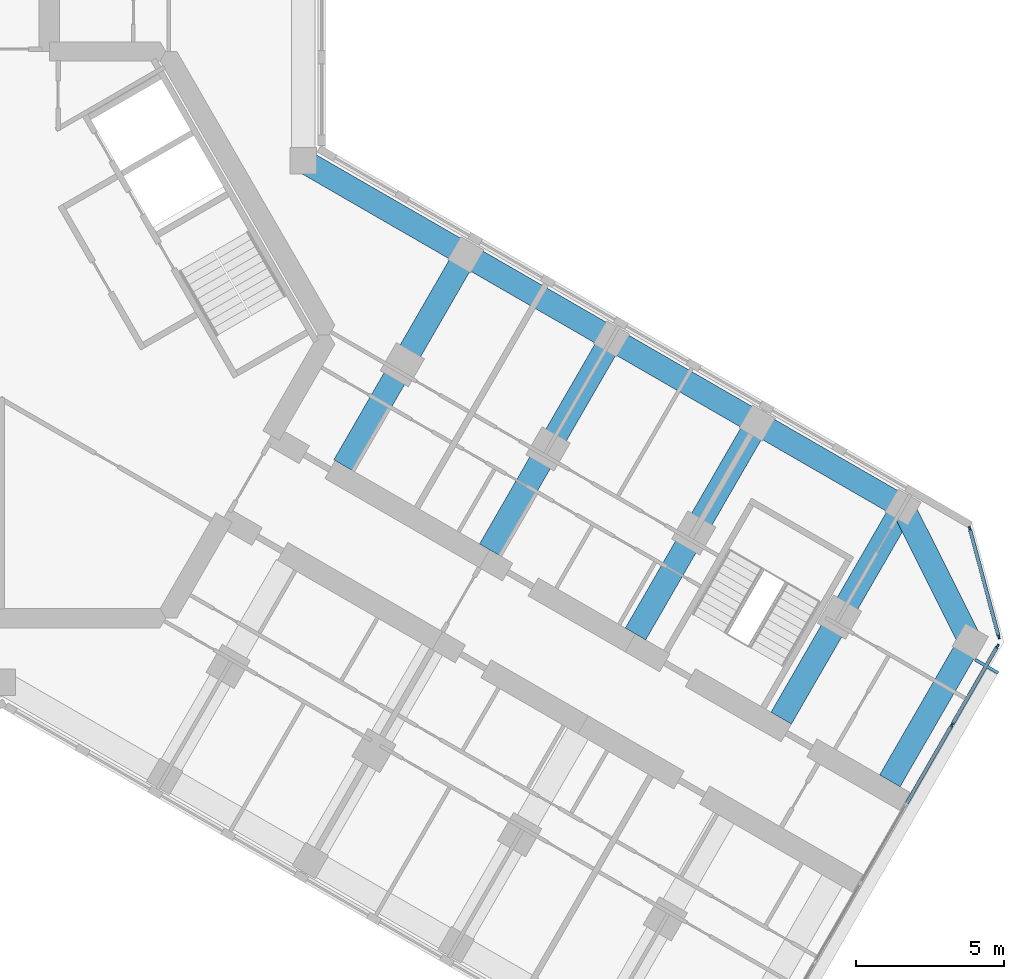
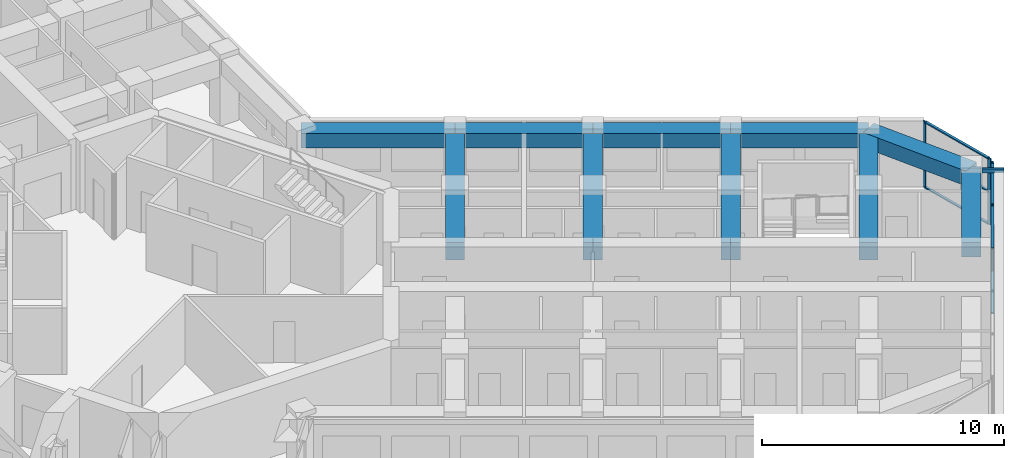
# One storey, part 5 of 16: 12 members, 10 beams, 2 elements without a shape of their own.
"""IFC4 building model written with IfcOpenShell, lengths in metres."""

from ifc_helpers import new_model, si_unit, direction, frame, origin, origin_2d, place, context, subcontext, project, spatial, rectangle, hollow_rectangle, extrude, material, material_profile, profile_set, type_object, element, aggregate, save


model = new_model("IFC4")

# Units and contexts
model_context = context("Model", 3, precision=1e-05, world=origin(), true_north=direction((0.0, 1.0)))
body_context = subcontext(model_context, "Body", "Model", "MODEL_VIEW")
ifc_project = project(units=[si_unit("LENGTHUNIT", "METRE"), si_unit("AREAUNIT", "SQUARE_METRE"), si_unit("VOLUMEUNIT", "CUBIC_METRE"), si_unit("PLANEANGLEUNIT", "RADIAN"), si_unit("MASSUNIT", "GRAM", prefix="KILO")], contexts=[model_context])

# Site, building, storey
site_placement = place(None, origin())
site = spatial("IfcSite", under=ifc_project, at=site_placement, CompositionType="ELEMENT")
building_placement = place(site_placement, origin())
building = spatial("IfcBuilding", under=site, at=building_placement, Name="Kosmar Iwan School Tower", CompositionType="ELEMENT")
storey_placement = place(building_placement, frame((0.0, 0.0, 201.0)))
storey = spatial("IfcBuildingStorey", under=building, at=storey_placement, Name="L50", CompositionType="ELEMENT", Elevation=201.0)

# Member
ifc_material_1 = material(Name="Steel S355", Category="steel")
ifc_material_profile_1 = material_profile(ifc_material_1, hollow_rectangle(XDim=0.10009765625, YDim=0.199951171875, WallThickness=0.008056640625, at=origin_2d()), Name="RHS 200x100x8")
ifc_profile_set_1 = profile_set([ifc_material_profile_1], Name="Steel S355")
member_type_1 = type_object("IfcMemberType", Name="Fin bracket RHS 200x100", PredefinedType="USERDEFINED", material=ifc_profile_set_1)
member_1_placement = place(storey_placement, frame((32.963134765625, -11.006103515625, 3.47509765625), z_axis=(0.866081705922, -0.499902469156, 0.0), x_axis=(0.499902469156, 0.866081705922, 0.0)))
element("IfcMember", 1, at=member_1_placement, inside=storey, type_object=member_type_1, Name="Fin bracket L51", ObjectType="FIN BRACKET", PredefinedType="USERDEFINED", context=body_context, shape_type="SweptSolid", body=[
    extrude(hollow_rectangle(XDim=0.10009765625, YDim=0.199951171875, WallThickness=0.008056640625, at=origin_2d()), origin(), (0.0, 0.0, 1.0), 0.900146484375),
])

# Curtain wall, members
ifc_material_2 = material(Name="Dark glass in black aluminium frame", Category="aluminium")
curtain_wall_type_1 = type_object("IfcCurtainWallType", Name="Tower curtain wall dark glass", PredefinedType="USERDEFINED", material=ifc_material_2)
curtain_wall_1_placement = place(storey_placement, origin())
curtain_wall_1 = element("IfcCurtainWall", 2, at=curtain_wall_1_placement, inside=storey, type_object=curtain_wall_type_1, Name="Curtain wall L50-F01", ObjectType="UNITISED CURTAIN WALL", PredefinedType="USERDEFINED")
ifc_material_3 = material(Name="Black anodised aluminium", Category="aluminium")
ifc_material_profile_2 = material_profile(ifc_material_3, rectangle(XDim=0.06005859375, YDim=0.159912109375, at=origin_2d()), Name="MULLION 60x160")
ifc_profile_set_2 = profile_set([ifc_material_profile_2], Name="Black anodised aluminium")
member_type_2 = type_object("IfcMemberType", Name="Mullion 60x160", PredefinedType="MULLION", material=ifc_profile_set_2)
member_2_placement = place(storey_placement, frame((32.1806640625, -13.21142578125, 0.0), z_axis=(0.0, 0.0, 1.0), x_axis=(-0.866025405329, 0.499999997325, 0.0)))
member_2 = element("IfcMember", 3, at=member_2_placement, type_object=member_type_2, Name="CW1 mullion 5", PredefinedType="MULLION", context=body_context, shape_type="SweptSolid", body=[
    extrude(rectangle(XDim=0.06005859375, YDim=0.159912109375, at=origin_2d()), origin(), (0.0, 0.0, 1.0), 3.35009765625),
])
member_3_placement = place(storey_placement, frame((33.71533203125, -10.55322265625, 0.0), z_axis=(0.0, 0.0, 1.0), x_axis=(-0.866025405329, 0.499999997325, 0.0)))
member_3 = element("IfcMember", 4, at=member_3_placement, type_object=member_type_2, Name="CW1 mullion 6", PredefinedType="MULLION", context=body_context, shape_type="SweptSolid", body=[
    extrude(rectangle(XDim=0.06005859375, YDim=0.159912109375, at=origin_2d()), origin(), (0.0, 0.0, 1.0), 3.35009765625),
])

ifc_material_4 = material(Name="Dark glass in black aluminium frame", Category="aluminium")
curtain_wall_type_2 = type_object("IfcCurtainWallType", Name="Chamfer curtain wall dark glass", PredefinedType="USERDEFINED", material=ifc_material_4)
curtain_wall_2_placement = place(storey_placement, origin())
curtain_wall_2 = element("IfcCurtainWall", 5, at=curtain_wall_2_placement, inside=storey, type_object=curtain_wall_type_2, Name="Curtain wall L50-F02", ObjectType="FACETED CURTAIN WALL", PredefinedType="USERDEFINED")
member_4_placement = place(storey_placement, frame((33.7587890625, -10.2236328125, 0.0), z_axis=(0.0, 0.0, 1.0), x_axis=(-0.965925875495, -0.258818861462, 0.0)))
member_4 = element("IfcMember", 6, at=member_4_placement, type_object=member_type_2, Name="CW2 mullion 1", PredefinedType="MULLION", context=body_context, shape_type="SweptSolid", body=[
    extrude(rectangle(XDim=0.06005859375, YDim=0.159912109375, at=origin_2d()), origin(), (0.0, 0.0, 1.0), 3.35009765625),
])
member_5_placement = place(storey_placement, frame((32.78076171875, -6.5732421875, 0.0), z_axis=(0.0, 0.0, 1.0), x_axis=(-0.965925875495, -0.258818861462, 0.0)))
member_5 = element("IfcMember", 7, at=member_5_placement, type_object=member_type_2, Name="CW2 mullion 2", PredefinedType="MULLION", context=body_context, shape_type="SweptSolid", body=[
    extrude(rectangle(XDim=0.06005859375, YDim=0.159912109375, at=origin_2d()), origin(), (0.0, 0.0, 1.0), 3.35009765625),
])

# Beams
ifc_material_5 = material(Name="Concrete C50/60", Category="concrete")
ifc_material_profile_3 = material_profile(ifc_material_5, rectangle(XDim=0.800048828125, YDim=0.75, at=origin_2d()), Name="RC 800x750")
ifc_profile_set_3 = profile_set([ifc_material_profile_3], Name="Concrete C50/60")
beam_type_1 = type_object("IfcBeamType", Name="RC edge beam 800x750", PredefinedType="BEAM", material=ifc_profile_set_3)
beam_1_placement = place(storey_placement, frame((10.199951171875, 5.888916015625, 2.97509765625), z_axis=(0.866030912664, -0.49999045822, 0.0), x_axis=(0.49999045822, 0.866030912664, 0.0)))
element("IfcBeam", 8, at=beam_1_placement, inside=storey, type_object=beam_type_1, Name="Edge beam CL1", PredefinedType="BEAM", context=body_context, shape_type="SweptSolid", body=[
    extrude(rectangle(XDim=0.800048828125, YDim=0.75, at=origin_2d()), origin(), (0.0, 0.0, 1.0), 6.36083984375),
])
beam_2_placement = place(storey_placement, frame((15.708740234375, 2.70849609375, 2.97509765625), z_axis=(0.866025820012, -0.499999279071, 0.0), x_axis=(0.499999279071, 0.866025820012, 0.0)))
element("IfcBeam", 9, at=beam_2_placement, inside=storey, type_object=beam_type_1, Name="Edge beam CL2", PredefinedType="BEAM", context=body_context, shape_type="SweptSolid", body=[
    extrude(rectangle(XDim=0.800048828125, YDim=0.75, at=origin_2d()), origin(), (0.0, 0.0, 1.0), 5.7001953125),
])
for number, where, z_axis, x_axis, name in (
    (10, (20.645263671875, -0.1416015625, 2.97509765625), (0.866033658841, -0.49998570155, 0.0), (0.49998570155, 0.866033658841, 0.0), "Edge beam CL3"),
    (11, (25.58154296875, -2.991455078125, 2.97509765625), (0.866015111908, -0.50001782563, 0.0), (0.50001782563, 0.866015111908, 0.0), "Edge beam CL4"),
):
    element("IfcBeam", number, at=place(storey_placement, frame(where, z_axis=z_axis, x_axis=x_axis)), inside=storey, type_object=beam_type_1, Name=name, PredefinedType="BEAM", context=body_context, shape_type="SweptSolid", body=[
        extrude(rectangle(XDim=0.800048828125, YDim=0.75, at=origin_2d()), origin(), (0.0, 0.0, 1.0), 5.699951171875),
    ])
ifc_material_6 = material(Name="Concrete C50/60", Category="concrete")
ifc_material_profile_4 = material_profile(ifc_material_6, rectangle(XDim=0.800048828125, YDim=0.75, at=origin_2d()), Name="RC 800x750")
ifc_profile_set_4 = profile_set([ifc_material_profile_4], Name="Concrete C50/60")
beam_type_2 = type_object("IfcBeamType", Name="RC tip beam 800x750", PredefinedType="BEAM", material=ifc_profile_set_4)
beam_3_placement = place(storey_placement, frame((30.517822265625, -5.841552734375, 2.97509765625), z_axis=(0.44809604203, -0.893985423325, 0.0), x_axis=(0.893985423325, 0.44809604203, 0.0)))
element("IfcBeam", 12, at=beam_3_placement, inside=storey, type_object=beam_type_2, Name="Tip beam CL", PredefinedType="BEAM", context=body_context, shape_type="SweptSolid", body=[
    extrude(rectangle(XDim=0.800048828125, YDim=0.75, at=origin_2d()), origin(), (0.0, 0.0, 1.0), 5.08935546875),
])
beam_4_placement = place(storey_placement, frame((32.79833984375, -10.391357421875, 2.97509765625), z_axis=(-0.49996933381, -0.866043108194, 0.0), x_axis=(0.866043108194, -0.49996933381, 0.0)))
element("IfcBeam", 13, at=beam_4_placement, inside=storey, type_object=beam_type_2, Name="Tip beam CL to corridor wall", PredefinedType="BEAM", context=body_context, shape_type="SweptSolid", body=[
    extrude(rectangle(XDim=0.800048828125, YDim=0.75, at=origin_2d()), origin(), (0.0, 0.0, 1.0), 5.449951171875),
])
ifc_material_7 = material(Name="Concrete C50/60", Category="concrete")
ifc_material_profile_5 = material_profile(ifc_material_7, rectangle(XDim=0.800048828125, YDim=0.89990234375, at=origin_2d()), Name="RC 800x900")
ifc_profile_set_5 = profile_set([ifc_material_profile_5], Name="Concrete C50/60")
beam_type_3 = type_object("IfcBeamType", Name="RC transverse beam 800x900", PredefinedType="BEAM", material=ifc_profile_set_5)
beam_5_placement = place(storey_placement, frame((15.708740234375, 2.70849609375, 2.89990234375), z_axis=(-0.499996545922, -0.866027397988, 0.0), x_axis=(0.866027397988, -0.499996545922, 0.0)))
element("IfcBeam", 14, at=beam_5_placement, inside=storey, type_object=beam_type_3, Name="Transverse beam CL1", PredefinedType="BEAM", context=body_context, shape_type="SweptSolid", body=[
    extrude(rectangle(XDim=0.800048828125, YDim=0.89990234375, at=origin_2d()), origin(), (0.0, 0.0, 1.0), 8.25),
])
beam_6_placement = place(storey_placement, frame((20.645263671875, -0.1416015625, 2.89990234375), z_axis=(-0.500009360108, -0.866019999656, 0.0), x_axis=(0.866019999656, -0.500009360108, 0.0)))
element("IfcBeam", 15, at=beam_6_placement, inside=storey, type_object=beam_type_3, Name="Transverse beam CL2", PredefinedType="BEAM", context=body_context, shape_type="SweptSolid", body=[
    extrude(rectangle(XDim=0.800048828125, YDim=0.89990234375, at=origin_2d()), origin(), (0.0, 0.0, 1.0), 8.249755859375),
])
for number, where, z_axis, x_axis, name in (
    (16, (25.58154296875, -2.991455078125, 2.89990234375), (-0.499996545922, -0.866027397988, 0.0), (0.866027397988, -0.499996545922, 0.0), "Transverse beam CL3"),
    (17, (30.517822265625, -5.841552734375, 2.89990234375), (-0.499996545922, -0.866027397988, 0.0), (0.866027397988, -0.499996545922, 0.0), "Transverse beam CL4"),
):
    element("IfcBeam", number, at=place(storey_placement, frame(where, z_axis=z_axis, x_axis=x_axis)), inside=storey, type_object=beam_type_3, Name=name, PredefinedType="BEAM", context=body_context, shape_type="SweptSolid", body=[
        extrude(rectangle(XDim=0.800048828125, YDim=0.89990234375, at=origin_2d()), origin(), (0.0, 0.0, 1.0), 8.25),
    ])

# Member
ifc_material_8 = material(Name="Black anodised aluminium", Category="aluminium")
ifc_material_profile_6 = material_profile(ifc_material_8, rectangle(XDim=0.1201171875, YDim=0.06005859375, at=origin_2d()), Name="TRANSOM 60x120")
ifc_profile_set_6 = profile_set([ifc_material_profile_6], Name="Black anodised aluminium")
member_type_3 = type_object("IfcMemberType", Name="Transom 60x120", PredefinedType="USERDEFINED", material=ifc_profile_set_6)
member_6_placement = place(storey_placement, frame((30.64599609375, -15.869384765625, 0.030029296875), z_axis=(0.500035348339, 0.866004994449, 0.0), x_axis=(-0.866004994449, 0.500035348339, 0.0)))
member_6 = element("IfcMember", 18, at=member_6_placement, type_object=member_type_3, Name="CW1 transom 4.1", ObjectType="TRANSOM", PredefinedType="USERDEFINED", context=body_context, shape_type="SweptSolid", body=[
    extrude(rectangle(XDim=0.1201171875, YDim=0.06005859375, at=origin_2d()), origin(), (0.0, 0.0, 1.0), 3.039306640625),
])

member_7_placement = place(storey_placement, frame((30.64599609375, -15.869384765625, 3.320068359375), z_axis=(0.500035348339, 0.866004994449, 0.0), x_axis=(-0.866004994449, 0.500035348339, 0.0)))
member_7 = element("IfcMember", 19, at=member_7_placement, type_object=member_type_3, Name="CW1 transom 4.2", ObjectType="TRANSOM", PredefinedType="USERDEFINED", context=body_context, shape_type="SweptSolid", body=[
    extrude(rectangle(XDim=0.1201171875, YDim=0.06005859375, at=origin_2d()), origin(), (0.0, 0.0, 1.0), 3.039306640625),
])

member_8_placement = place(storey_placement, frame((32.19580078125, -13.185302734375, 0.030029296875), z_axis=(0.500022102064, 0.866012642776, 0.0), x_axis=(-0.866012642776, 0.500022102064, 0.0)))
member_8 = element("IfcMember", 20, at=member_8_placement, type_object=member_type_3, Name="CW1 transom 5.1", ObjectType="TRANSOM", PredefinedType="USERDEFINED", context=body_context, shape_type="SweptSolid", body=[
    extrude(rectangle(XDim=0.1201171875, YDim=0.06005859375, at=origin_2d()), origin(), (0.0, 0.0, 1.0), 3.009033203125),
])

member_9_placement = place(storey_placement, frame((32.19580078125, -13.185302734375, 3.320068359375), z_axis=(0.500022102064, 0.866012642776, 0.0), x_axis=(-0.866012642776, 0.500022102064, 0.0)))
member_9 = element("IfcMember", 21, at=member_9_placement, type_object=member_type_3, Name="CW1 transom 5.2", ObjectType="TRANSOM", PredefinedType="USERDEFINED", context=body_context, shape_type="SweptSolid", body=[
    extrude(rectangle(XDim=0.1201171875, YDim=0.06005859375, at=origin_2d()), origin(), (0.0, 0.0, 1.0), 3.009033203125),
])

aggregate(curtain_wall_1, [member_2, member_3, member_6, member_7, member_8, member_9])

member_10_placement = place(storey_placement, frame((33.7509765625, -10.194580078125, 0.030029296875), z_axis=(-0.258843273983, 0.965919333854, 0.0), x_axis=(-0.965919333854, -0.258843273983, 0.0)))
member_10 = element("IfcMember", 22, at=member_10_placement, type_object=member_type_3, Name="CW2 transom 1.1", ObjectType="TRANSOM", PredefinedType="USERDEFINED", context=body_context, shape_type="SweptSolid", body=[
    extrude(rectangle(XDim=0.1201171875, YDim=0.06005859375, at=origin_2d()), origin(), (0.0, 0.0, 1.0), 3.718994140625),
])

member_11_placement = place(storey_placement, frame((33.7509765625, -10.194580078125, 1.675048828125), z_axis=(-0.258843273983, 0.965919333854, 0.0), x_axis=(-0.965919333854, -0.258843273983, 0.0)))
member_11 = element("IfcMember", 23, at=member_11_placement, type_object=member_type_3, Name="CW2 transom 1.2", ObjectType="TRANSOM", PredefinedType="USERDEFINED", context=body_context, shape_type="SweptSolid", body=[
    extrude(rectangle(XDim=0.1201171875, YDim=0.06005859375, at=origin_2d()), origin(), (0.0, 0.0, 1.0), 3.718994140625),
])

member_12_placement = place(storey_placement, frame((33.7509765625, -10.194580078125, 3.320068359375), z_axis=(-0.258843273983, 0.965919333854, 0.0), x_axis=(-0.965919333854, -0.258843273983, 0.0)))
member_12 = element("IfcMember", 24, at=member_12_placement, type_object=member_type_3, Name="CW2 transom 1.3", ObjectType="TRANSOM", PredefinedType="USERDEFINED", context=body_context, shape_type="SweptSolid", body=[
    extrude(rectangle(XDim=0.1201171875, YDim=0.06005859375, at=origin_2d()), origin(), (0.0, 0.0, 1.0), 3.718994140625),
])

aggregate(curtain_wall_2, [member_4, member_5, member_10, member_11, member_12])

save(model, "model.ifc")
